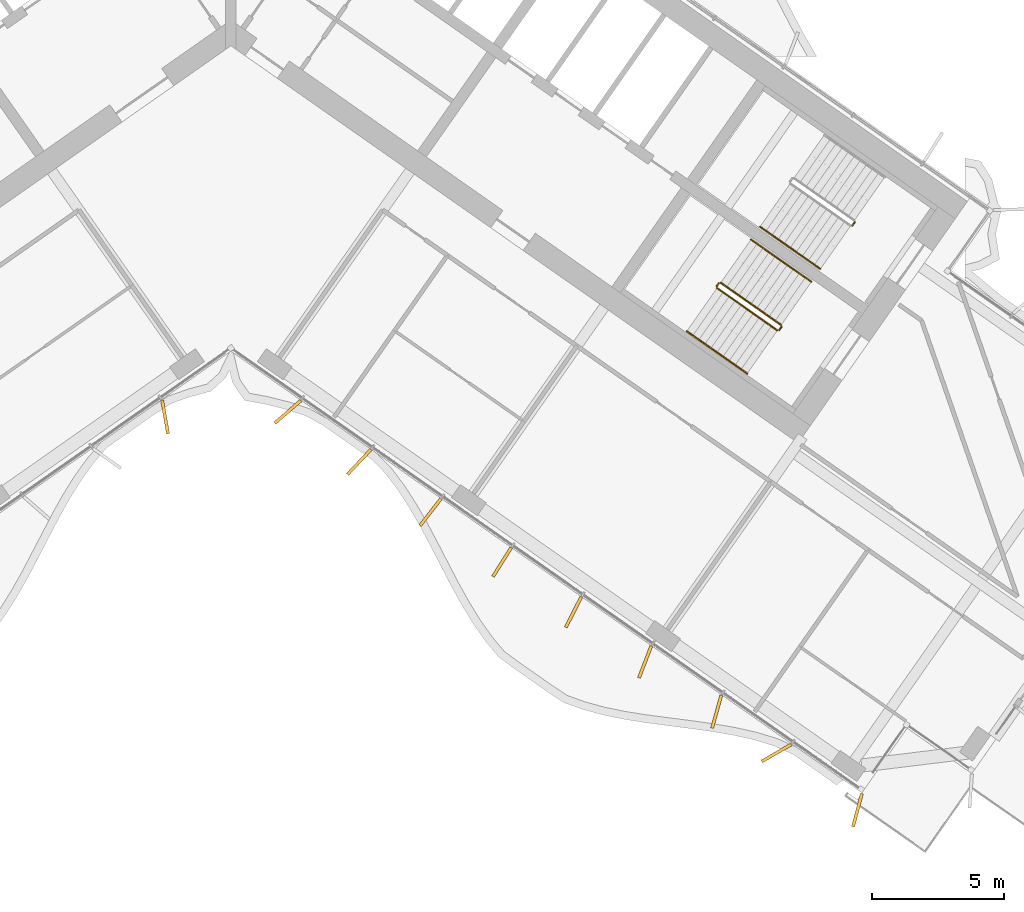
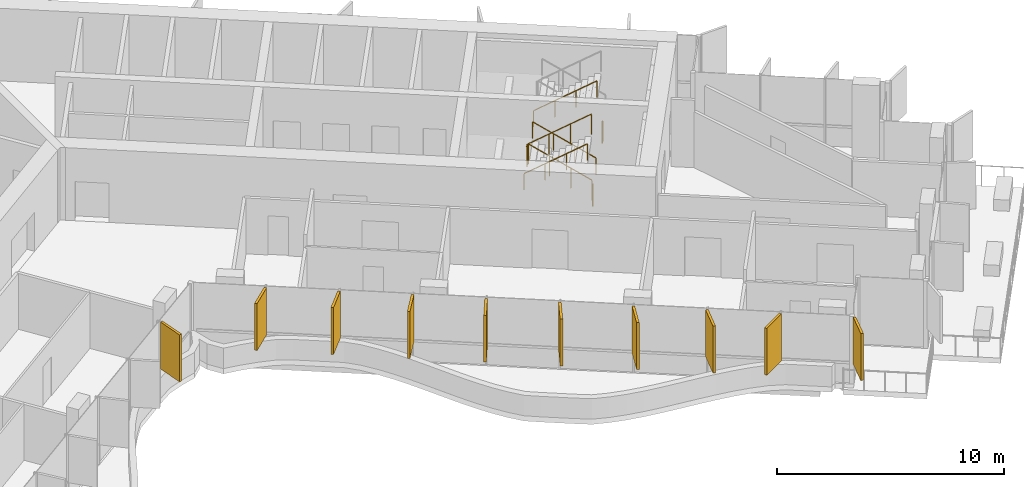
# One storey, part 20 of 23: 10 shading devices, 8 railings.
"""IFC4 building model written with IfcOpenShell, lengths in metres."""

from ifc_helpers import new_model, si_unit, direction, frame, origin, origin_2d, place, context, subcontext, project, spatial, rectangle, circle, extrude, material, layer, layer_set, type_object, element, save


model = new_model("IFC4")

# Units and contexts
model_context = context("Model", 3, precision=1e-05, world=origin(), true_north=direction((0.0, 1.0)))
body_context = subcontext(model_context, "Body", "Model", "MODEL_VIEW")
ifc_project = project(units=[si_unit("LENGTHUNIT", "METRE"), si_unit("AREAUNIT", "SQUARE_METRE"), si_unit("VOLUMEUNIT", "CUBIC_METRE"), si_unit("PLANEANGLEUNIT", "RADIAN"), si_unit("MASSUNIT", "GRAM", prefix="KILO")], contexts=[model_context])

# Site, building, storey
site_placement = place(None, origin())
site = spatial("IfcSite", under=ifc_project, at=site_placement, CompositionType="ELEMENT")
building_placement = place(site_placement, origin())
building = spatial("IfcBuilding", under=site, at=building_placement, Name="Tel Ilan Convention Tower", CompositionType="ELEMENT")
storey_placement = place(building_placement, frame((0.0, 0.0, 190.5)))
storey = spatial("IfcBuildingStorey", under=building, at=storey_placement, Name="L44", CompositionType="ELEMENT", Elevation=190.5)

# Shading devices
ifc_material_1 = material(Name="Aluminium, bronze anodised", Category="aluminium")
ifc_layer = layer(ifc_material_1, 0.1201171875)
ifc_layer_set = layer_set([ifc_layer], Name="FIN BRONZE 1300x120")
shading_device_type = type_object("IfcShadingDeviceType", Name="FIN BRONZE 1300x120", PredefinedType="USERDEFINED", material=ifc_layer_set)
for number, where, z_axis, x_axis, name in (
    (1, (-2.498046875, -15.31689453125, 1.10009765625), (0.0, 0.0, 1.0), (0.173648177667, -0.984807753012, 0.0), "FIN"),
    (2, (2.164306640625, -15.120849609375, 1.10009765625), (0.0, 0.0, 1.0), (-0.753435896329, -0.657521368568, 0.0), "FIN"),
    (3, (4.873291015625, -17.025634765625, 1.10009765625), (0.0, 0.0, 1.0), (-0.686241637865, -0.727373641577, 0.0), "FIN"),
    (4, (7.586669921875, -18.92578125, 1.10009765625), (0.0, 0.0, 1.0), (-0.612600545196, -0.790392669516, 0.0), "FIN"),
    (5, (10.30029296875, -20.825927734375, 1.10009765625), (0.0, 0.0, 1.0), (-0.533204432798, -0.845986425922, 0.0), "FIN"),
    (6, (13.013916015625, -22.7255859375, 1.10009765625), (0.0, 0.0, 1.0), (-0.448799180206, -0.893632640321, 0.0), "FIN"),
    (7, (15.730224609375, -24.619873046875, 1.10009765625), (0.0, 0.0, 1.0), (-0.360177724803, -0.932883704733, 0.0), "FIN"),
    (8, (18.44873046875, -26.508056640625, 1.10009765625), (0.0, 0.0, 1.0), (-0.268172612768, -0.963370878614, 0.0), "FIN"),
    (9, (20.71923828125, -28.075439453125, 1.10009765625), (0.0, 0.0, 1.0), (-0.866025403784, -0.5, 0.0), "FIN"),
    (10, (23.79443359375, -30.246337890625, 1.10009765625), (0.0, 0.0, 1.0), (-0.258819045103, -0.965925826289, 0.0), "FIN"),
):
    element("IfcShadingDevice", number, at=place(storey_placement, frame(where, z_axis=z_axis, x_axis=x_axis)), inside=storey, type_object=shading_device_type, Name=name, ObjectType="FIN", PredefinedType="USERDEFINED", context=body_context, shape_type="SweptSolid", body=[
        extrude(rectangle(XDim=1.300048828125, YDim=0.1201171875, at=origin_2d()), origin(), (0.0, 0.0, 1.0), 2.52001953125),
    ])

# Railings
ifc_material_2 = material(Name="Stainless Steel Grade 316", Category="steel")
railing_type_1 = type_object("IfcRailingType", Name="Stainless Steel Stair Guard 1100 mm", PredefinedType="GUARDRAIL", material=ifc_material_2)
railing_1_placement = place(storey_placement, frame((23.691162109375, -7.921142578125, 0.0)))
element("IfcRailing", 11, at=railing_1_placement, inside=storey, type_object=railing_type_1, Name="L44 S3 stair guard 4", PredefinedType="GUARDRAIL", context=body_context, shape_type="SweptSolid", body=[
    extrude(circle(Radius=0.02392578125, at=origin_2d()), frame((0.0, 0.0, 1.076171875), z_axis=(-0.574444878118, -0.818543268254, 0.0), x_axis=(0.818543268254, -0.574444878118, 0.0)), (0.0, 0.0, 1.0), 0.150146484375),
    extrude(circle(Radius=0.02099609375, at=origin_2d()), origin(), (0.0, 0.0, 1.0), 1.052001953125),
    extrude(circle(Radius=0.02099609375, at=origin_2d()), frame((-0.086181640625, -0.122802734375, 0.0)), (0.0, 0.0, 1.0), 1.052001953125),
])
railing_2_placement = place(storey_placement, frame((20.89697265625, -11.824462890625, 0.17724609375)))
element("IfcRailing", 12, at=railing_2_placement, inside=storey, type_object=railing_type_1, Name="L44 S4 stair guard 1", PredefinedType="GUARDRAIL", context=body_context, shape_type="SweptSolid", body=[
    extrude(circle(Radius=0.02392578125, at=origin_2d()), frame((0.0, 0.0, 1.076171875), z_axis=(-0.692123088272, 0.484596665743, 0.534912798717), x_axis=(-0.573550118428, -0.819170471667, 0.0)), (0.0, 0.0, 1.0), 3.31396484375),
    extrude(circle(Radius=0.02099609375, at=origin_2d()), origin(), (0.0, 0.0, 1.0), 1.052001953125),
    extrude(circle(Radius=0.02099609375, at=origin_2d()), frame((-0.7646484375, 0.535400390625, 0.5908203125)), (0.0, 0.0, 1.0), 1.052001953125),
    extrude(circle(Radius=0.02099609375, at=origin_2d()), frame((-1.529052734375, 1.070556640625, 1.181884765625)), (0.0, 0.0, 1.0), 1.052001953125),
    extrude(circle(Radius=0.02099609375, at=origin_2d()), frame((-2.293701171875, 1.60595703125, 1.772705078125)), (0.0, 0.0, 1.0), 1.052001953125),
])
railing_3_placement = place(storey_placement, frame((18.53369140625, -10.230712890625, 1.949951171875)))
element("IfcRailing", 13, at=railing_3_placement, inside=storey, type_object=railing_type_1, Name="L44 S4 stair guard 2", PredefinedType="GUARDRAIL", context=body_context, shape_type="SweptSolid", body=[
    extrude(circle(Radius=0.02392578125, at=origin_2d()), frame((0.0, 0.0, 1.076171875), z_axis=(-0.573353020881, -0.819308436089, 0.0), x_axis=(0.819308436089, -0.573353020881, 0.0)), (0.0, 0.0, 1.0), 0.14990234375),
    extrude(circle(Radius=0.02099609375, at=origin_2d()), origin(), (0.0, 0.0, 1.0), 1.052001953125),
    extrude(circle(Radius=0.02099609375, at=origin_2d()), frame((-0.0859375, -0.122802734375, 0.0)), (0.0, 0.0, 1.0), 1.052001953125),
])
railing_4_placement = place(storey_placement, frame((18.4599609375, -10.423095703125, 2.127197265625)))
element("IfcRailing", 14, at=railing_4_placement, inside=storey, type_object=railing_type_1, Name="L44 S4 stair guard 3", PredefinedType="GUARDRAIL", context=body_context, shape_type="SweptSolid", body=[
    extrude(circle(Radius=0.02392578125, at=origin_2d()), frame((0.0, 0.0, 1.076171875), z_axis=(0.692098378994, -0.484653031975, 0.534893701956), x_axis=(0.573608623498, 0.819129505664, 0.0)), (0.0, 0.0, 1.0), 3.314208984375),
    extrude(circle(Radius=0.02099609375, at=origin_2d()), origin(), (0.0, 0.0, 1.0), 1.052001953125),
    extrude(circle(Radius=0.02099609375, at=origin_2d()), frame((0.7646484375, -0.535400390625, 0.5908203125)), (0.0, 0.0, 1.0), 1.052001953125),
    extrude(circle(Radius=0.02099609375, at=origin_2d()), frame((1.529052734375, -1.07080078125, 1.181884765625)), (0.0, 0.0, 1.0), 1.052001953125),
    extrude(circle(Radius=0.02099609375, at=origin_2d()), frame((2.293701171875, -1.606201171875, 1.772705078125)), (0.0, 0.0, 1.0), 1.052001953125),
])
railing_5_placement = place(storey_placement, frame((20.9091796875, -11.89404296875, 0.0)))
element("IfcRailing", 15, at=railing_5_placement, inside=storey, type_object=railing_type_1, Name="L44 S4 stair guard 4", PredefinedType="GUARDRAIL", context=body_context, shape_type="SweptSolid", body=[
    extrude(circle(Radius=0.02392578125, at=origin_2d()), frame((0.0, 0.0, 1.076171875), z_axis=(-0.573353020881, -0.819308436089, 0.0), x_axis=(0.819308436089, -0.573353020881, 0.0)), (0.0, 0.0, 1.0), 0.14990234375),
    extrude(circle(Radius=0.02099609375, at=origin_2d()), origin(), (0.0, 0.0, 1.0), 1.052001953125),
    extrude(circle(Radius=0.02099609375, at=origin_2d()), frame((-0.0859375, -0.122802734375, 0.0)), (0.0, 0.0, 1.0), 1.052001953125),
])
ifc_material_3 = material(Name="Stainless Steel Grade 316", Category="steel")
railing_type_2 = type_object("IfcRailingType", Name="Stainless Steel Stair Handrail 900 mm", PredefinedType="HANDRAIL", material=ifc_material_3)
railing_6_placement = place(storey_placement, frame((20.0947265625, -8.088623046875, 2.127197265625)))
element("IfcRailing", 16, at=railing_6_placement, inside=storey, type_object=railing_type_2, Name="L44 S3 stair handrail 2", PredefinedType="HANDRAIL", context=body_context, shape_type="SweptSolid", body=[
    extrude(circle(Radius=0.02392578125, at=origin_2d()), frame((0.0, 0.0, 0.8759765625), z_axis=(0.692084706163, -0.484621375041, 0.534940073605), x_axis=(0.573591086599, 0.819141785879, 0.0)), (0.0, 0.0, 1.0), 3.313720703125),
    extrude(circle(Radius=0.02099609375, at=origin_2d()), origin(), (0.0, 0.0, 1.0), 0.851806640625),
    extrude(circle(Radius=0.02099609375, at=origin_2d()), frame((0.764404296875, -0.535400390625, 0.5908203125)), (0.0, 0.0, 1.0), 0.851806640625),
    extrude(circle(Radius=0.02099609375, at=origin_2d()), frame((1.529052734375, -1.070556640625, 1.181884765625)), (0.0, 0.0, 1.0), 0.851806640625),
    extrude(circle(Radius=0.02099609375, at=origin_2d()), frame((2.29345703125, -1.60595703125, 1.772705078125)), (0.0, 0.0, 1.0), 0.851806640625),
])
railing_7_placement = place(storey_placement, frame((22.044189453125, -10.18603515625, 0.17724609375)))
element("IfcRailing", 17, at=railing_7_placement, inside=storey, type_object=railing_type_2, Name="L44 S4 stair handrail 1", PredefinedType="HANDRAIL", context=body_context, shape_type="SweptSolid", body=[
    extrude(circle(Radius=0.02392578125, at=origin_2d()), frame((0.0, 0.0, 0.8759765625), z_axis=(-0.692123088272, 0.484596665743, 0.534912798717), x_axis=(-0.573550118428, -0.819170471667, 0.0)), (0.0, 0.0, 1.0), 3.31396484375),
    extrude(circle(Radius=0.02099609375, at=origin_2d()), origin(), (0.0, 0.0, 1.0), 0.851806640625),
    extrude(circle(Radius=0.02099609375, at=origin_2d()), frame((-0.7646484375, 0.535400390625, 0.5908203125)), (0.0, 0.0, 1.0), 0.851806640625),
    extrude(circle(Radius=0.02099609375, at=origin_2d()), frame((-1.529052734375, 1.070556640625, 1.181884765625)), (0.0, 0.0, 1.0), 0.851806640625),
    extrude(circle(Radius=0.02099609375, at=origin_2d()), frame((-2.293701171875, 1.60595703125, 1.772705078125)), (0.0, 0.0, 1.0), 0.851806640625),
])
railing_8_placement = place(storey_placement, frame((17.312744140625, -12.0615234375, 2.127197265625)))
element("IfcRailing", 18, at=railing_8_placement, inside=storey, type_object=railing_type_2, Name="L44 S4 stair handrail 2", PredefinedType="HANDRAIL", context=body_context, shape_type="SweptSolid", body=[
    extrude(circle(Radius=0.02392578125, at=origin_2d()), frame((0.0, 0.0, 0.8759765625), z_axis=(0.692123088272, -0.484596665743, 0.534912798717), x_axis=(0.573550118428, 0.819170471667, 0.0)), (0.0, 0.0, 1.0), 3.31396484375),
    extrude(circle(Radius=0.02099609375, at=origin_2d()), origin(), (0.0, 0.0, 1.0), 0.851806640625),
    extrude(circle(Radius=0.02099609375, at=origin_2d()), frame((0.7646484375, -0.535400390625, 0.5908203125)), (0.0, 0.0, 1.0), 0.851806640625),
    extrude(circle(Radius=0.02099609375, at=origin_2d()), frame((1.529052734375, -1.070556640625, 1.181884765625)), (0.0, 0.0, 1.0), 0.851806640625),
    extrude(circle(Radius=0.02099609375, at=origin_2d()), frame((2.293701171875, -1.60595703125, 1.772705078125)), (0.0, 0.0, 1.0), 0.851806640625),
])

save(model, "model.ifc")
